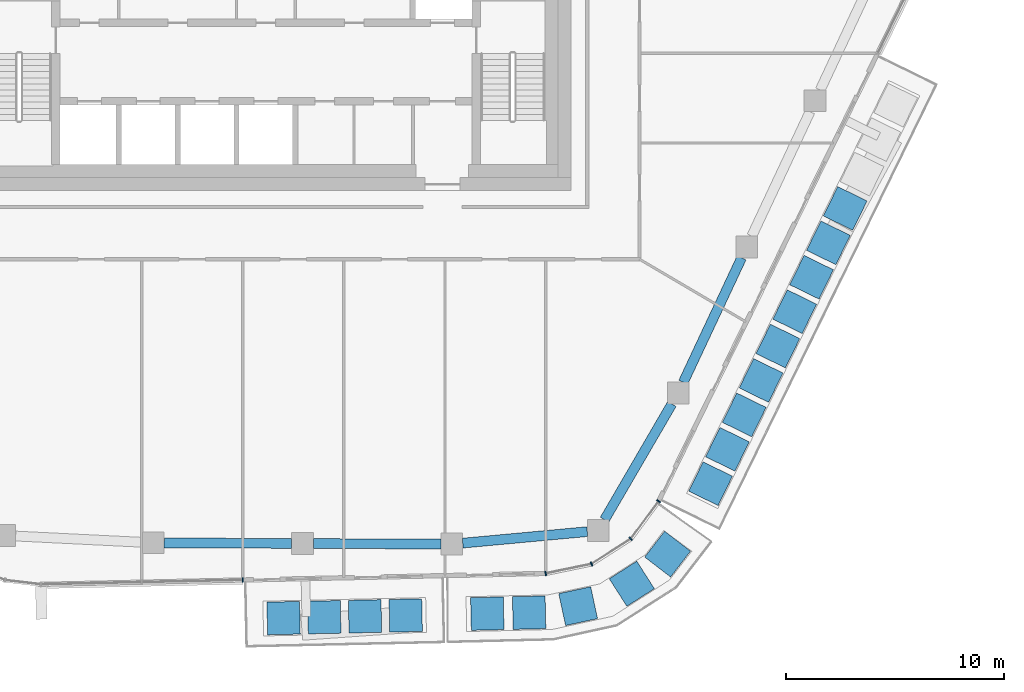
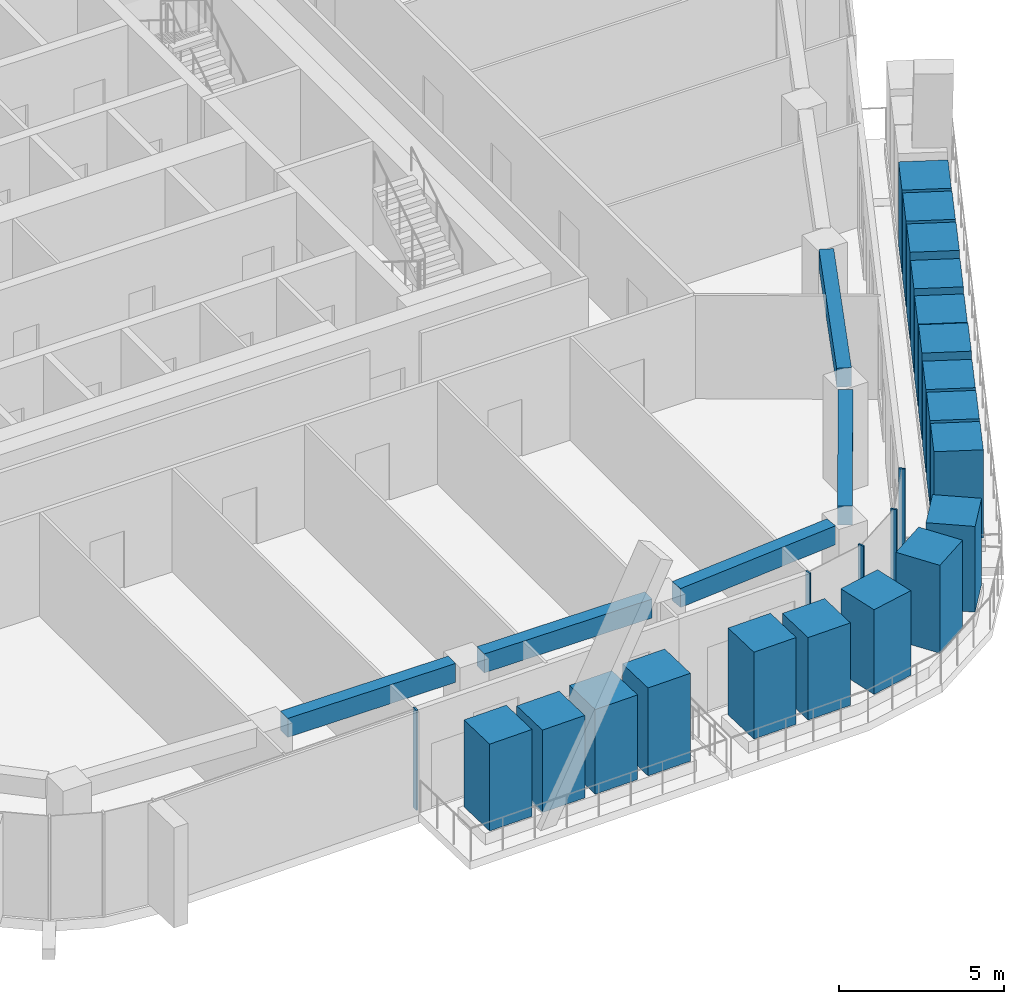
# One storey, part 4 of 23: 23 members, 5 beams, 2 elements without a shape of their own.
"""IFC4 building model written with IfcOpenShell, lengths in metres."""

from ifc_helpers import new_model, si_unit, direction, frame, origin, origin_2d, place, context, subcontext, project, spatial, rectangle, extrude, material, layer, layer_set, material_profile, profile_set, type_object, element, aggregate, save


model = new_model("IFC4")

# Units and contexts
model_context = context("Model", 3, precision=1e-05, world=origin(), true_north=direction((0.0, 1.0)))
body_context = subcontext(model_context, "Body", "Model", "MODEL_VIEW")
ifc_project = project(units=[si_unit("LENGTHUNIT", "METRE"), si_unit("AREAUNIT", "SQUARE_METRE"), si_unit("VOLUMEUNIT", "CUBIC_METRE"), si_unit("PLANEANGLEUNIT", "RADIAN"), si_unit("MASSUNIT", "GRAM", prefix="KILO")], contexts=[model_context])

# Site, building, storey
site_placement = place(None, origin())
site = spatial("IfcSite", under=ifc_project, at=site_placement, CompositionType="ELEMENT")
building_placement = place(site_placement, origin())
building = spatial("IfcBuilding", under=site, at=building_placement, Name="Dongbaek Canopy Tower", CompositionType="ELEMENT")
storey_placement = place(building_placement, frame((0.0, 0.0, 340.39990234375)))
storey = spatial("IfcBuildingStorey", under=building, at=storey_placement, Name="L73", CompositionType="ELEMENT", Elevation=340.39990234375)

# Curtain wall, member
ifc_material_1 = material(Name="Aluminium 6063-T6 pale anodised", Category="aluminium")
ifc_layer = layer(ifc_material_1, 0.199951171875)
ifc_layer_set = layer_set([ifc_layer], Name="CW-1 unitised tower curtain wall")
curtain_wall_type = type_object("IfcCurtainWallType", Name="CW-1 unitised tower curtain wall", PredefinedType="NOTDEFINED", material=ifc_layer_set)
curtain_wall_1_placement = place(storey_placement, origin())
curtain_wall_1 = element("IfcCurtainWall", 1, at=curtain_wall_1_placement, inside=storey, type_object=curtain_wall_type, Name="CW-1 curtain wall F4.1", PredefinedType="NOTDEFINED")
ifc_material_2 = material(Name="Aluminium 6063-T6 pale anodised", Category="aluminium")
ifc_material_profile_1 = material_profile(ifc_material_2, rectangle(XDim=0.199951171875, YDim=0.06005859375, at=origin_2d()), Name="CW-1 mullion 60 x 200")
ifc_profile_set_1 = profile_set([ifc_material_profile_1], Name="Aluminium 6063-T6 pale anodised")
member_type_1 = type_object("IfcMemberType", Name="CW-1 mullion 60 x 200", PredefinedType="MULLION", material=ifc_profile_set_1)
member_1_placement = place(storey_placement, frame((-1.06103515625, -28.872802734375, 0.1201171875), z_axis=(0.0, 0.0, 1.0), x_axis=(0.021675843976, -0.999765051294, 0.0)))
member_1 = element("IfcMember", 2, at=member_1_placement, type_object=member_type_1, Name="CW-1 mullion F4.1.3", PredefinedType="MULLION", context=body_context, shape_type="SweptSolid", body=[
    extrude(rectangle(XDim=0.199951171875, YDim=0.06005859375, at=origin_2d()), origin(), (0.0, 0.0, 1.0), 3.699951171875),
])
aggregate(curtain_wall_1, [member_1])

# Curtain wall, members
curtain_wall_2_placement = place(storey_placement, origin())
curtain_wall_2 = element("IfcCurtainWall", 3, at=curtain_wall_2_placement, inside=storey, type_object=curtain_wall_type, Name="CW-1 curtain wall K5.1", PredefinedType="NOTDEFINED")
member_2_placement = place(storey_placement, frame((12.842041015625, -28.5712890625, 0.0), z_axis=(0.0, 0.0, 1.0), x_axis=(0.20264074946, -0.979253147382, 0.0)))
member_2 = element("IfcMember", 4, at=member_2_placement, type_object=member_type_1, Name="CW-1 mullion K5.1.1", PredefinedType="MULLION", context=body_context, shape_type="SweptSolid", body=[
    extrude(rectangle(XDim=0.199951171875, YDim=0.06005859375, at=origin_2d()), origin(), (0.0, 0.0, 1.0), 3.820068359375),
])
member_3_placement = place(storey_placement, frame((14.9462890625, -28.1357421875, 0.0), z_axis=(0.0, 0.0, 1.0), x_axis=(0.376884256804, -0.926260361331, 0.0)))
member_3 = element("IfcMember", 5, at=member_3_placement, type_object=member_type_1, Name="CW-1 mullion K5.1.2", PredefinedType="MULLION", context=body_context, shape_type="SweptSolid", body=[
    extrude(rectangle(XDim=0.199951171875, YDim=0.06005859375, at=origin_2d()), origin(), (0.0, 0.0, 1.0), 3.820068359375),
])
member_4_placement = place(storey_placement, frame((16.7490234375, -26.9833984375, 0.0), z_axis=(0.0, 0.0, 1.0), x_axis=(0.682503763245, -0.730882078831, 0.0)))
member_4 = element("IfcMember", 6, at=member_4_placement, type_object=member_type_1, Name="CW-1 mullion K5.1.3", PredefinedType="MULLION", context=body_context, shape_type="SweptSolid", body=[
    extrude(rectangle(XDim=0.199951171875, YDim=0.06005859375, at=origin_2d()), origin(), (0.0, 0.0, 1.0), 3.820068359375),
])
member_5_placement = place(storey_placement, frame((18.02734375, -25.25634765625, 0.0), z_axis=(0.0, 0.0, 1.0), x_axis=(0.803742658172, -0.594977091521, 0.0)))
member_5 = element("IfcMember", 7, at=member_5_placement, type_object=member_type_1, Name="CW-1 mullion K5.1.4", PredefinedType="MULLION", context=body_context, shape_type="SweptSolid", body=[
    extrude(rectangle(XDim=0.199951171875, YDim=0.06005859375, at=origin_2d()), origin(), (0.0, 0.0, 1.0), 3.820068359375),
])
aggregate(curtain_wall_2, [member_2, member_3, member_4, member_5])

# Beams
ifc_material_3 = material(Name="Concrete C60", Category="concrete")
ifc_material_profile_2 = material_profile(ifc_material_3, rectangle(XDim=0.449951171875, YDim=0.699951171875, at=origin_2d()), Name="RC EDGE BEAM 450x700 C60")
ifc_profile_set_2 = profile_set([ifc_material_profile_2], Name="Concrete C60")
beam_type = type_object("IfcBeamType", Name="RC EDGE BEAM 450x700 C60", PredefinedType="BEAM", material=ifc_profile_set_2)
beam_1_placement = place(storey_placement, frame((14.751953125, -26.653076171875, 3.47021484375), z_axis=(-0.995766439544, -0.091919518479, 0.0), x_axis=(0.091919518479, -0.995766439544, 0.0)))
element("IfcBeam", 8, at=beam_1_placement, inside=storey, type_object=beam_type, Name="EDGEBEAM:L73:00", PredefinedType="BEAM", context=body_context, shape_type="SweptSolid", body=[
    extrude(rectangle(XDim=0.449951171875, YDim=0.699951171875, at=origin_2d()), origin(), (0.0, 0.0, 1.0), 5.742431640625),
])
beam_2_placement = place(storey_placement, frame((8.033935546875, -27.224853515625, 3.47021484375), z_axis=(-0.999990401851, 0.004381347473, 0.0), x_axis=(-0.004381347473, -0.999990401851, 0.0)))
element("IfcBeam", 9, at=beam_2_placement, inside=storey, type_object=beam_type, Name="EDGEBEAM:L73:01", PredefinedType="BEAM", context=body_context, shape_type="SweptSolid", body=[
    extrude(rectangle(XDim=0.449951171875, YDim=0.699951171875, at=origin_2d()), origin(), (0.0, 0.0, 1.0), 5.850830078125),
])
beam_3_placement = place(storey_placement, frame((1.18310546875, -27.19482421875, 3.47021484375), z_axis=(-0.999990396242, 0.004382627582, 0.0), x_axis=(-0.004382627582, -0.999990396242, 0.0)))
element("IfcBeam", 10, at=beam_3_placement, inside=storey, type_object=beam_type, Name="EDGEBEAM:L73:02", PredefinedType="BEAM", context=body_context, shape_type="SweptSolid", body=[
    extrude(rectangle(XDim=0.449951171875, YDim=0.699951171875, at=origin_2d()), origin(), (0.0, 0.0, 1.0), 5.84912109375),
])
beam_4_placement = place(storey_placement, frame((21.833740234375, -14.087890625, 3.47021484375), z_axis=(-0.424294949226, -0.905524044993, 0.0), x_axis=(0.905524044993, -0.424294949226, 0.0)))
element("IfcBeam", 11, at=beam_4_placement, inside=storey, type_object=beam_type, Name="EDGEBEAM:L73:24", PredefinedType="BEAM", context=body_context, shape_type="SweptSolid", body=[
    extrude(rectangle(XDim=0.449951171875, YDim=0.699951171875, at=origin_2d()), origin(), (0.0, 0.0, 1.0), 6.303466796875),
])
beam_5_placement = place(storey_placement, frame((18.634033203125, -20.7958984375, 3.47021484375), z_axis=(-0.503016078482, -0.864277053258, 0.0), x_axis=(0.864277053258, -0.503016078482, 0.0)))
element("IfcBeam", 12, at=beam_5_placement, inside=storey, type_object=beam_type, Name="EDGEBEAM:L73:25", PredefinedType="BEAM", context=body_context, shape_type="SweptSolid", body=[
    extrude(rectangle(XDim=0.449951171875, YDim=0.699951171875, at=origin_2d()), origin(), (0.0, 0.0, 1.0), 6.14501953125),
])

# Members
ifc_material_4 = material(Name="Concrete C40/50 planter mass with planting", Category="concrete")
ifc_material_profile_3 = material_profile(ifc_material_4, rectangle(XDim=1.5, YDim=1.5, at=origin_2d()), Name="Terrace PLANTER shrub mass 1500 x 1500")
ifc_profile_set_3 = profile_set([ifc_material_profile_3], Name="Concrete C40/50 planter mass with planting")
member_type_2 = type_object("IfcMemberType", Name="Terrace PLANTER shrub mass 1500 x 1500", PredefinedType="USERDEFINED", material=ifc_profile_set_3)
member_6_placement = place(storey_placement, frame((0.81201171875, -30.62255859375, 0.420166015625), z_axis=(0.0, 0.0, 1.0), x_axis=(0.021675843976, -0.999765051294, 0.0)))
element("IfcMember", 13, at=member_6_placement, inside=storey, type_object=member_type_2, Name="Planter shrubs L73 4.1", ObjectType="PLANTER", PredefinedType="USERDEFINED", context=body_context, shape_type="SweptSolid", body=[
    extrude(rectangle(XDim=1.5, YDim=1.5, at=origin_2d()), origin(), (0.0, 0.0, 1.0), 3.2099609375),
])
member_7_placement = place(storey_placement, frame((2.6806640625, -30.58203125, 0.420166015625), z_axis=(0.0, 0.0, 1.0), x_axis=(0.021675843976, -0.999765051294, 0.0)))
element("IfcMember", 14, at=member_7_placement, inside=storey, type_object=member_type_2, Name="Planter shrubs L73 4.2", ObjectType="PLANTER", PredefinedType="USERDEFINED", context=body_context, shape_type="SweptSolid", body=[
    extrude(rectangle(XDim=1.5, YDim=1.5, at=origin_2d()), origin(), (0.0, 0.0, 1.0), 3.050048828125),
])
member_8_placement = place(storey_placement, frame((4.549560546875, -30.54150390625, 0.420166015625), z_axis=(0.0, 0.0, 1.0), x_axis=(0.021675843976, -0.999765051294, 0.0)))
element("IfcMember", 15, at=member_8_placement, inside=storey, type_object=member_type_2, Name="Planter shrubs L73 4.3", ObjectType="PLANTER", PredefinedType="USERDEFINED", context=body_context, shape_type="SweptSolid", body=[
    extrude(rectangle(XDim=1.5, YDim=1.5, at=origin_2d()), origin(), (0.0, 0.0, 1.0), 3.1298828125),
])
member_9_placement = place(storey_placement, frame((6.41845703125, -30.5009765625, 0.420166015625), z_axis=(0.0, 0.0, 1.0), x_axis=(0.021675843976, -0.999765051294, 0.0)))
element("IfcMember", 16, at=member_9_placement, inside=storey, type_object=member_type_2, Name="Planter shrubs L73 4.4", ObjectType="PLANTER", PredefinedType="USERDEFINED", context=body_context, shape_type="SweptSolid", body=[
    extrude(rectangle(XDim=1.5, YDim=1.5, at=origin_2d()), origin(), (0.0, 0.0, 1.0), 3.25),
])
member_10_placement = place(storey_placement, frame((10.16259765625, -30.41796875, 0.420166015625), z_axis=(0.0, 0.0, 1.0), x_axis=(0.023502753283, -0.999723772143, 0.0)))
element("IfcMember", 17, at=member_10_placement, inside=storey, type_object=member_type_2, Name="Planter shrubs L73 8.1", ObjectType="PLANTER", PredefinedType="USERDEFINED", context=body_context, shape_type="SweptSolid", body=[
    extrude(rectangle(XDim=1.5, YDim=1.5, at=origin_2d()), origin(), (0.0, 0.0, 1.0), 3.2099609375),
])
member_11_placement = place(storey_placement, frame((12.08349609375, -30.372802734375, 0.420166015625), z_axis=(0.0, 0.0, 1.0), x_axis=(0.023502753283, -0.999723772143, 0.0)))
element("IfcMember", 18, at=member_11_placement, inside=storey, type_object=member_type_2, Name="Planter shrubs L73 8.2", ObjectType="PLANTER", PredefinedType="USERDEFINED", context=body_context, shape_type="SweptSolid", body=[
    extrude(rectangle(XDim=1.5, YDim=1.5, at=origin_2d()), origin(), (0.0, 0.0, 1.0), 3.050048828125),
])
member_12_placement = place(storey_placement, frame((14.332763671875, -30.07275390625, 0.420166015625), z_axis=(0.0, 0.0, 1.0), x_axis=(0.210435348732, -0.977607776158, 0.0)))
element("IfcMember", 19, at=member_12_placement, inside=storey, type_object=member_type_2, Name="Planter shrubs L73 8.3", ObjectType="PLANTER", PredefinedType="USERDEFINED", context=body_context, shape_type="SweptSolid", body=[
    extrude(rectangle(XDim=1.5, YDim=1.5, at=origin_2d()), origin(), (0.0, 0.0, 1.0), 3.1298828125),
])
member_13_placement = place(storey_placement, frame((16.796630859375, -29.044189453125, 0.420166015625), z_axis=(0.0, 0.0, 1.0), x_axis=(0.538626876944, -0.842544412737, 0.0)))
element("IfcMember", 20, at=member_13_placement, inside=storey, type_object=member_type_2, Name="Planter shrubs L73 8.4", ObjectType="PLANTER", PredefinedType="USERDEFINED", context=body_context, shape_type="SweptSolid", body=[
    extrude(rectangle(XDim=1.5, YDim=1.5, at=origin_2d()), origin(), (0.0, 0.0, 1.0), 3.25),
])
member_14_placement = place(storey_placement, frame((18.43896484375, -27.685302734375, 0.420166015625), z_axis=(0.0, 0.0, 1.0), x_axis=(0.792731588939, -0.60957085552, 0.0)))
element("IfcMember", 21, at=member_14_placement, inside=storey, type_object=member_type_2, Name="Planter shrubs L73 8.5", ObjectType="PLANTER", PredefinedType="USERDEFINED", context=body_context, shape_type="SweptSolid", body=[
    extrude(rectangle(XDim=1.5, YDim=1.5, at=origin_2d()), origin(), (0.0, 0.0, 1.0), 3.169921875),
])
member_15_placement = place(storey_placement, frame((20.4130859375, -24.452880859375, 0.420166015625), z_axis=(0.0, 0.0, 1.0), x_axis=(0.89832218457, -0.439337288093, 0.0)))
element("IfcMember", 22, at=member_15_placement, inside=storey, type_object=member_type_2, Name="Planter shrubs L73 5.1", ObjectType="PLANTER", PredefinedType="USERDEFINED", context=body_context, shape_type="SweptSolid", body=[
    extrude(rectangle(XDim=1.5, YDim=1.5, at=origin_2d()), origin(), (0.0, 0.0, 1.0), 3.25),
])
member_16_placement = place(storey_placement, frame((21.185302734375, -22.87353515625, 0.420166015625), z_axis=(0.0, 0.0, 1.0), x_axis=(0.89832218457, -0.439337288093, 0.0)))
element("IfcMember", 23, at=member_16_placement, inside=storey, type_object=member_type_2, Name="Planter shrubs L73 5.2", ObjectType="PLANTER", PredefinedType="USERDEFINED", context=body_context, shape_type="SweptSolid", body=[
    extrude(rectangle(XDim=1.5, YDim=1.5, at=origin_2d()), origin(), (0.0, 0.0, 1.0), 3.169921875),
])
member_17_placement = place(storey_placement, frame((21.957763671875, -21.29443359375, 0.420166015625), z_axis=(0.0, 0.0, 1.0), x_axis=(0.89832218457, -0.439337288093, 0.0)))
element("IfcMember", 24, at=member_17_placement, inside=storey, type_object=member_type_2, Name="Planter shrubs L73 5.3", ObjectType="PLANTER", PredefinedType="USERDEFINED", context=body_context, shape_type="SweptSolid", body=[
    extrude(rectangle(XDim=1.5, YDim=1.5, at=origin_2d()), origin(), (0.0, 0.0, 1.0), 3.08984375),
])
member_18_placement = place(storey_placement, frame((22.72998046875, -19.715087890625, 0.420166015625), z_axis=(0.0, 0.0, 1.0), x_axis=(0.89832218457, -0.439337288093, 0.0)))
element("IfcMember", 25, at=member_18_placement, inside=storey, type_object=member_type_2, Name="Planter shrubs L73 5.4", ObjectType="PLANTER", PredefinedType="USERDEFINED", context=body_context, shape_type="SweptSolid", body=[
    extrude(rectangle(XDim=1.5, YDim=1.5, at=origin_2d()), origin(), (0.0, 0.0, 1.0), 3.2099609375),
])
member_19_placement = place(storey_placement, frame((23.50244140625, -18.1357421875, 0.420166015625), z_axis=(0.0, 0.0, 1.0), x_axis=(0.89832218457, -0.439337288093, 0.0)))
element("IfcMember", 26, at=member_19_placement, inside=storey, type_object=member_type_2, Name="Planter shrubs L73 5.5", ObjectType="PLANTER", PredefinedType="USERDEFINED", context=body_context, shape_type="SweptSolid", body=[
    extrude(rectangle(XDim=1.5, YDim=1.5, at=origin_2d()), origin(), (0.0, 0.0, 1.0), 3.050048828125),
])
member_20_placement = place(storey_placement, frame((24.27490234375, -16.556396484375, 0.420166015625), z_axis=(0.0, 0.0, 1.0), x_axis=(0.89832218457, -0.439337288093, 0.0)))
element("IfcMember", 27, at=member_20_placement, inside=storey, type_object=member_type_2, Name="Planter shrubs L73 5.6", ObjectType="PLANTER", PredefinedType="USERDEFINED", context=body_context, shape_type="SweptSolid", body=[
    extrude(rectangle(XDim=1.5, YDim=1.5, at=origin_2d()), origin(), (0.0, 0.0, 1.0), 3.1298828125),
])
member_21_placement = place(storey_placement, frame((25.047119140625, -14.977294921875, 0.420166015625), z_axis=(0.0, 0.0, 1.0), x_axis=(0.89832218457, -0.439337288093, 0.0)))
element("IfcMember", 28, at=member_21_placement, inside=storey, type_object=member_type_2, Name="Planter shrubs L73 5.7", ObjectType="PLANTER", PredefinedType="USERDEFINED", context=body_context, shape_type="SweptSolid", body=[
    extrude(rectangle(XDim=1.5, YDim=1.5, at=origin_2d()), origin(), (0.0, 0.0, 1.0), 3.25),
])
member_22_placement = place(storey_placement, frame((25.819580078125, -13.39794921875, 0.420166015625), z_axis=(0.0, 0.0, 1.0), x_axis=(0.89832218457, -0.439337288093, 0.0)))
element("IfcMember", 29, at=member_22_placement, inside=storey, type_object=member_type_2, Name="Planter shrubs L73 5.8", ObjectType="PLANTER", PredefinedType="USERDEFINED", context=body_context, shape_type="SweptSolid", body=[
    extrude(rectangle(XDim=1.5, YDim=1.5, at=origin_2d()), origin(), (0.0, 0.0, 1.0), 3.169921875),
])
member_23_placement = place(storey_placement, frame((26.591796875, -11.818603515625, 0.420166015625), z_axis=(0.0, 0.0, 1.0), x_axis=(0.89832218457, -0.439337288093, 0.0)))
element("IfcMember", 30, at=member_23_placement, inside=storey, type_object=member_type_2, Name="Planter shrubs L73 5.9", ObjectType="PLANTER", PredefinedType="USERDEFINED", context=body_context, shape_type="SweptSolid", body=[
    extrude(rectangle(XDim=1.5, YDim=1.5, at=origin_2d()), origin(), (0.0, 0.0, 1.0), 3.08984375),
])

save(model, "model.ifc")
